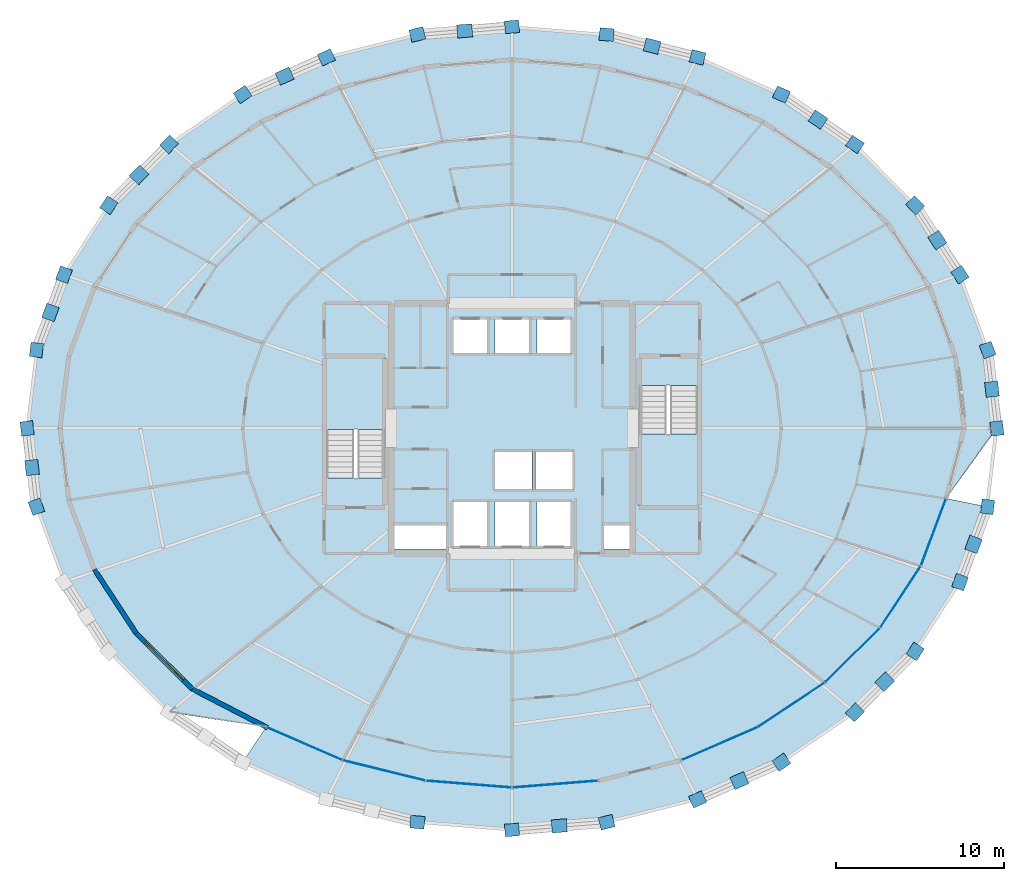
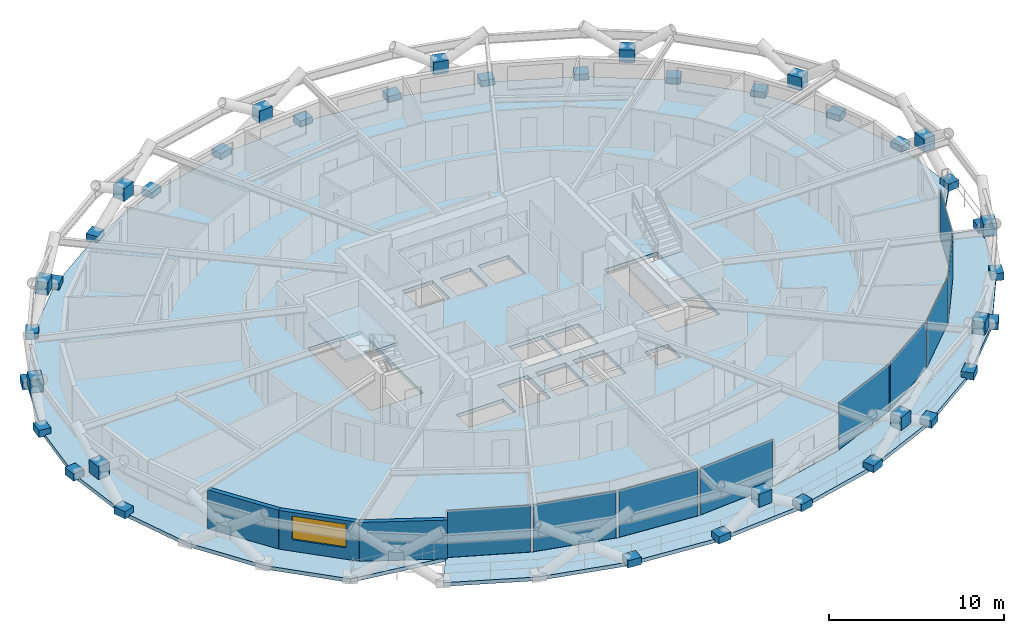
# One storey, part 14 of 23: 49 plates, 4 slabs, 3 walls, 1 window, 1 opening, 4 elements without a shape of their own.
"""IFC4 building model written with IfcOpenShell, lengths in metres."""

from ifc_helpers import new_model, si_unit, direction, frame, frame_2d, origin, origin_2d, place, context, subcontext, project, spatial, polyline, rectangle, outline, extrude, material, layer, layer_set, type_object, element, fill, aggregate, save


model = new_model("IFC4")

# Units and contexts
model_context = context("Model", 3, precision=1e-05, world=origin(), true_north=direction((0.0, 1.0)))
body_context = subcontext(model_context, "Body", "Model", "MODEL_VIEW")
ifc_project = project(units=[si_unit("LENGTHUNIT", "METRE"), si_unit("AREAUNIT", "SQUARE_METRE"), si_unit("VOLUMEUNIT", "CUBIC_METRE"), si_unit("PLANEANGLEUNIT", "RADIAN"), si_unit("MASSUNIT", "GRAM", prefix="KILO")], contexts=[model_context])

# Site, building, storey
site_placement = place(None, origin())
site = spatial("IfcSite", under=ifc_project, at=site_placement, CompositionType="ELEMENT")
building_placement = place(site_placement, origin())
building = spatial("IfcBuilding", under=site, at=building_placement, Name="Veldorina Hangang Commons", CompositionType="ELEMENT")
storey_placement = place(building_placement, frame((0.0, 0.0, 95.199951171875)))
storey = spatial("IfcBuildingStorey", under=building, at=storey_placement, Name="L24", CompositionType="ELEMENT", Elevation=95.199951171875)

# Curtain wall, plates
ifc_material_1 = material(Name="Glass Low-E Triple IGU", Category="glass")
ifc_layer_1 = layer(ifc_material_1, 0.179931640625)
ifc_layer_set_1 = layer_set([ifc_layer_1], Name="Glass Low-E Triple IGU")
curtain_wall_type = type_object("IfcCurtainWallType", Name="CW-SYS-Z1", PredefinedType="NOTDEFINED", material=ifc_layer_set_1)
curtain_wall_1_placement = place(storey_placement, origin())
curtain_wall_1 = element("IfcCurtainWall", 1, at=curtain_wall_1_placement, inside=storey, type_object=curtain_wall_type, Name="L24 unitised curtain wall CW-L24-R1", PredefinedType="NOTDEFINED")
ifc_layer_2 = layer(ifc_material_1, 0.0400390625)
ifc_layer_set_2 = layer_set([ifc_layer_2], Name="Glass Low-E Triple IGU")
plate_type_1 = type_object("IfcPlateType", Name="CW-PNL-VIS", PredefinedType="CURTAIN_PANEL", material=ifc_layer_set_2)
plate_1_placement = place(storey_placement, frame((19.629638671875, 5.2158203125, 0.01513671875), z_axis=(0.0, 0.0, 1.0), x_axis=(0.917386861558, -0.397996666117, 0.0)))
plate_1 = element("IfcPlate", 2, at=plate_1_placement, type_object=plate_type_1, Name="CW-L24-R1 facet 1 glazed vision panel", PredefinedType="CURTAIN_PANEL", context=body_context, shape_type="SweptSolid", body=[
    extrude(rectangle(XDim=4.789306640625, YDim=0.0400390625, at=origin_2d()), origin(), (0.0, 0.0, 1.0), 3.27001953125),
])
plate_2_placement = place(storey_placement, frame((24.38232421875, 3.617919921875, 0.01513671875), z_axis=(0.0, 0.0, 1.0), x_axis=(0.970996733432, -0.239092751175, 0.0)))
plate_2 = element("IfcPlate", 3, at=plate_2_placement, type_object=plate_type_1, Name="CW-L24-R1 facet 2 glazed vision panel", PredefinedType="CURTAIN_PANEL", context=body_context, shape_type="SweptSolid", body=[
    extrude(rectangle(XDim=4.914306640625, YDim=0.0400390625, at=origin_2d()), origin(), (0.0, 0.0, 1.0), 3.27001953125),
])
plate_3_placement = place(storey_placement, frame((29.427734375, 2.80322265625, 0.01513671875), z_axis=(0.0, 0.0, 1.0), x_axis=(0.996820733877, -0.079677001159, 0.0)))
plate_3 = element("IfcPlate", 4, at=plate_3_placement, type_object=plate_type_1, Name="CW-L24-R1 facet 3 glazed vision panel", PredefinedType="CURTAIN_PANEL", context=body_context, shape_type="SweptSolid", body=[
    extrude(rectangle(XDim=4.980712890625, YDim=0.0400390625, at=origin_2d()), origin(), (0.0, 0.0, 1.0), 3.27001953125),
])
plate_4_placement = place(storey_placement, frame((34.572265625, 2.80322265625, 0.01513671875), z_axis=(0.0, 0.0, 1.0), x_axis=(0.996820733877, 0.079677001159, 0.0)))
plate_4 = element("IfcPlate", 5, at=plate_4_placement, type_object=plate_type_1, Name="CW-L24-R1 facet 4 glazed vision panel", PredefinedType="CURTAIN_PANEL", context=body_context, shape_type="SweptSolid", body=[
    extrude(rectangle(XDim=4.980712890625, YDim=0.0400390625, at=origin_2d()), origin(), (0.0, 0.0, 1.0), 3.27001953125),
])
aggregate(curtain_wall_1, [plate_1, plate_2, plate_3, plate_4])

curtain_wall_2_placement = place(storey_placement, origin())
curtain_wall_2 = element("IfcCurtainWall", 6, at=curtain_wall_2_placement, inside=storey, type_object=curtain_wall_type, Name="L24 unitised curtain wall CW-L24-R2", PredefinedType="NOTDEFINED")
plate_5_placement = place(storey_placement, frame((44.37060546875, 5.2158203125, 0.01513671875), z_axis=(0.0, 0.0, 1.0), x_axis=(0.917386861558, 0.397996666117, 0.0)))
plate_5 = element("IfcPlate", 7, at=plate_5_placement, type_object=plate_type_1, Name="CW-L24-R2 facet 1 glazed vision panel", PredefinedType="CURTAIN_PANEL", context=body_context, shape_type="SweptSolid", body=[
    extrude(rectangle(XDim=4.789306640625, YDim=0.0400390625, at=origin_2d()), origin(), (0.0, 0.0, 1.0), 3.27001953125),
])
plate_6_placement = place(storey_placement, frame((48.64794921875, 7.535400390625, 0.01513671875), z_axis=(0.0, 0.0, 1.0), x_axis=(0.832273551571, 0.55436516427, 0.0)))
plate_6 = element("IfcPlate", 8, at=plate_6_placement, type_object=plate_type_1, Name="CW-L24-R2 facet 2 glazed vision panel", PredefinedType="CURTAIN_PANEL", context=body_context, shape_type="SweptSolid", body=[
    extrude(rectangle(XDim=4.62109375, YDim=0.0400390625, at=origin_2d()), origin(), (0.0, 0.0, 1.0), 3.27001953125),
])
plate_7_placement = place(storey_placement, frame((52.285400390625, 10.48779296875, 0.01513671875), z_axis=(0.0, 0.0, 1.0), x_axis=(0.710995871012, 0.703196182729, 0.0)))
plate_7 = element("IfcPlate", 9, at=plate_7_placement, type_object=plate_type_1, Name="CW-L24-R2 facet 3 glazed vision panel", PredefinedType="CURTAIN_PANEL", context=body_context, shape_type="SweptSolid", body=[
    extrude(rectangle(XDim=4.43212890625, YDim=0.0400390625, at=origin_2d()), origin(), (0.0, 0.0, 1.0), 3.27001953125),
])
plate_8_placement = place(storey_placement, frame((55.1435546875, 13.959716796875, 0.01513671875), z_axis=(0.0, 0.0, 1.0), x_axis=(0.549999810956, 0.83516477892, 0.0)))
plate_8 = element("IfcPlate", 10, at=plate_8_placement, type_object=plate_type_1, Name="CW-L24-R2 facet 4 glazed vision panel", PredefinedType="CURTAIN_PANEL", context=body_context, shape_type="SweptSolid", body=[
    extrude(rectangle(XDim=4.25048828125, YDim=0.0400390625, at=origin_2d()), origin(), (0.0, 0.0, 1.0), 3.27001953125),
])
plate_9_placement = place(storey_placement, frame((57.112060546875, 17.817138671875, 0.01513671875), z_axis=(0.0, 0.0, 1.0), x_axis=(0.350076593736, 0.936721078293, 0.0)))
plate_9 = element("IfcPlate", 11, at=plate_9_placement, type_object=plate_type_1, Name="CW-L24-R2 facet 5 glazed vision panel", PredefinedType="CURTAIN_PANEL", context=body_context, shape_type="SweptSolid", body=[
    extrude(rectangle(XDim=4.106201171875, YDim=0.0400390625, at=origin_2d()), origin(), (0.0, 0.0, 1.0), 3.27001953125),
])
aggregate(curtain_wall_2, [plate_5, plate_6, plate_7, plate_8, plate_9])

# Plates
ifc_material_2 = material(Name="Steel SM460-TMC", Category="steel")
ifc_layer_3 = layer(ifc_material_2, 0.035888671875)
ifc_layer_set_3 = layer_set([ifc_layer_3], Name="Steel SM460-TMC")
plate_type_2 = type_object("IfcPlateType", Name="PL-STAR-36", PredefinedType="USERDEFINED", material=ifc_layer_set_3)
plate_10_placement = place(storey_placement, frame((60.88916015625, 24.0, -0.08984375), z_axis=(0.0, 0.0, 1.0), x_axis=(-0.118109344302, 0.993000595563, 0.0)))
element("IfcPlate", 12, at=plate_10_placement, inside=storey, type_object=plate_type_2, Name="L24 diagrid star-node gusset plate 00", ObjectType="GUSSET PLATE", PredefinedType="USERDEFINED", context=body_context, shape_type="SweptSolid", body=[
    extrude(rectangle(XDim=0.85009765625, YDim=0.75, at=origin_2d()), origin(), (0.0, 0.0, 1.0), 0.5),
])
plate_11_placement = place(storey_placement, frame((60.5947265625, 26.33251953125, 1.35107421875), z_axis=(0.0, 0.0, 1.0), x_axis=(-0.118109344302, 0.993000595563, 0.0)))
element("IfcPlate", 13, at=plate_11_placement, inside=storey, type_object=plate_type_2, Name="L24 diagrid X-crossing star-node gusset plate 00", ObjectType="GUSSET PLATE", PredefinedType="USERDEFINED", context=body_context, shape_type="SweptSolid", body=[
    extrude(rectangle(XDim=0.89990234375, YDim=0.780029296875, at=origin_2d()), origin(), (0.0, 0.0, 1.0), 0.89990234375),
])
for number, where, z_axis, x_axis, name in (
    (14, (60.333984375, 28.6669921875, -0.08984375), (0.0, 0.0, 1.0), (-0.343987479376, 0.938974235021, 0.0), "L24 diagrid star-node gusset plate 01"),
    (15, (58.68994140625, 33.15478515625, -0.08984375), (0.0, 0.0, 1.0), (-0.542309568385, 0.840178750052, 0.0), "L24 diagrid star-node gusset plate 02"),
):
    element("IfcPlate", number, at=place(storey_placement, frame(where, z_axis=z_axis, x_axis=x_axis)), inside=storey, type_object=plate_type_2, Name=name, ObjectType="GUSSET PLATE", PredefinedType="USERDEFINED", context=body_context, shape_type="SweptSolid", body=[
        extrude(rectangle(XDim=0.85009765625, YDim=0.75, at=origin_2d()), origin(), (0.0, 0.0, 1.0), 0.5),
    ])
plate_12_placement = place(storey_placement, frame((57.34033203125, 35.217041015625, 1.35107421875), z_axis=(0.0, 0.0, 1.0), x_axis=(-0.542309568385, 0.840178750052, 0.0)))
element("IfcPlate", 16, at=plate_12_placement, inside=storey, type_object=plate_type_2, Name="L24 diagrid X-crossing star-node gusset plate 02", ObjectType="GUSSET PLATE", PredefinedType="USERDEFINED", context=body_context, shape_type="SweptSolid", body=[
    extrude(rectangle(XDim=0.89990234375, YDim=0.780029296875, at=origin_2d()), origin(), (0.0, 0.0, 1.0), 0.89990234375),
])
for number, where, z_axis, x_axis, name in (
    (17, (56.0205078125, 37.29052734375, -0.08984375), (0.0, 0.0, 1.0), (-0.70392795369, 0.710271381947, 0.0), "L24 diagrid star-node gusset plate 03"),
    (18, (52.427734375, 40.915771484375, -0.08984375), (0.0, 0.0, 1.0), (-0.827090384354, 0.562068942487, 0.0), "L24 diagrid star-node gusset plate 04"),
):
    element("IfcPlate", number, at=place(storey_placement, frame(where, z_axis=z_axis, x_axis=x_axis)), inside=storey, type_object=plate_type_2, Name=name, ObjectType="GUSSET PLATE", PredefinedType="USERDEFINED", context=body_context, shape_type="SweptSolid", body=[
        extrude(rectangle(XDim=0.85009765625, YDim=0.75, at=origin_2d()), origin(), (0.0, 0.0, 1.0), 0.5),
    ])
plate_13_placement = place(storey_placement, frame((50.22802734375, 42.39404296875, 1.35107421875), z_axis=(0.0, 0.0, 1.0), x_axis=(-0.827090384354, 0.562068942487, 0.0)))
element("IfcPlate", 19, at=plate_13_placement, inside=storey, type_object=plate_type_2, Name="L24 diagrid X-crossing star-node gusset plate 04", ObjectType="GUSSET PLATE", PredefinedType="USERDEFINED", context=body_context, shape_type="SweptSolid", body=[
    extrude(rectangle(XDim=0.89990234375, YDim=0.780029296875, at=origin_2d()), origin(), (0.0, 0.0, 1.0), 0.89990234375),
])
for number, where, z_axis, x_axis, name in (
    (20, (48.0498046875, 43.890625, -0.08984375), (0.0, 0.0, 1.0), (-0.914430644564, 0.404742629683, 0.0), "L24 diagrid star-node gusset plate 05"),
    (21, (43.055419921875, 46.101318359375, -0.08984375), (0.0, 0.0, 1.0), (-0.969872015285, 0.243615011786, 0.0), "L24 diagrid star-node gusset plate 06"),
):
    element("IfcPlate", number, at=place(storey_placement, frame(where, z_axis=z_axis, x_axis=x_axis)), inside=storey, type_object=plate_type_2, Name=name, ObjectType="GUSSET PLATE", PredefinedType="USERDEFINED", context=body_context, shape_type="SweptSolid", body=[
        extrude(rectangle(XDim=0.85009765625, YDim=0.75, at=origin_2d()), origin(), (0.0, 0.0, 1.0), 0.5),
    ])
plate_14_placement = place(storey_placement, frame((40.3408203125, 46.770751953125, 1.351318359375), z_axis=(0.0, 0.0, 1.0), x_axis=(-0.969872015285, 0.243615011786, 0.0)))
element("IfcPlate", 22, at=plate_14_placement, inside=storey, type_object=plate_type_2, Name="L24 diagrid X-crossing star-node gusset plate 06", ObjectType="GUSSET PLATE", PredefinedType="USERDEFINED", context=body_context, shape_type="SweptSolid", body=[
    extrude(rectangle(XDim=0.89990234375, YDim=0.780029296875, at=origin_2d()), origin(), (0.0, 0.0, 1.0), 0.89990234375),
])
for number, where, z_axis, x_axis, name in (
    (23, (37.635986328125, 47.462646484375, -0.08984375), (0.0, 0.0, 1.0), (-0.996690092585, 0.081294891247, 0.0), "L24 diagrid star-node gusset plate 07"),
    (24, (32.0, 47.92236328125, -0.08984375), (0.0, 0.0, 1.0), (-0.996690092585, -0.081294891247, 0.0), "L24 diagrid star-node gusset plate 08"),
):
    element("IfcPlate", number, at=place(storey_placement, frame(where, z_axis=z_axis, x_axis=x_axis)), inside=storey, type_object=plate_type_2, Name=name, ObjectType="GUSSET PLATE", PredefinedType="USERDEFINED", context=body_context, shape_type="SweptSolid", body=[
        extrude(rectangle(XDim=0.85009765625, YDim=0.75, at=origin_2d()), origin(), (0.0, 0.0, 1.0), 0.5),
    ])
plate_15_placement = place(storey_placement, frame((29.18359375, 47.6806640625, 1.351318359375), z_axis=(0.0, 0.0, 1.0), x_axis=(-0.996690092585, -0.081294891247, 0.0)))
element("IfcPlate", 25, at=plate_15_placement, inside=storey, type_object=plate_type_2, Name="L24 diagrid X-crossing star-node gusset plate 08", ObjectType="GUSSET PLATE", PredefinedType="USERDEFINED", context=body_context, shape_type="SweptSolid", body=[
    extrude(rectangle(XDim=0.89990234375, YDim=0.780029296875, at=origin_2d()), origin(), (0.0, 0.0, 1.0), 0.89990234375),
])
for number, where, z_axis, x_axis, name in (
    (26, (26.364013671875, 47.462646484375, -0.08984375), (0.0, 0.0, 1.0), (-0.969872015285, -0.243615011786, 0.0), "L24 diagrid star-node gusset plate 09"),
    (27, (20.944580078125, 46.101318359375, -0.08984375), (0.0, 0.0, 1.0), (-0.914430644564, -0.404742629683, 0.0), "L24 diagrid star-node gusset plate 10"),
):
    element("IfcPlate", number, at=place(storey_placement, frame(where, z_axis=z_axis, x_axis=x_axis)), inside=storey, type_object=plate_type_2, Name=name, ObjectType="GUSSET PLATE", PredefinedType="USERDEFINED", context=body_context, shape_type="SweptSolid", body=[
        extrude(rectangle(XDim=0.85009765625, YDim=0.75, at=origin_2d()), origin(), (0.0, 0.0, 1.0), 0.5),
    ])
plate_16_placement = place(storey_placement, frame((18.455322265625, 44.985595703125, 1.35107421875), z_axis=(0.0, 0.0, 1.0), x_axis=(-0.914430644564, -0.404742629683, 0.0)))
element("IfcPlate", 28, at=plate_16_placement, inside=storey, type_object=plate_type_2, Name="L24 diagrid X-crossing star-node gusset plate 10", ObjectType="GUSSET PLATE", PredefinedType="USERDEFINED", context=body_context, shape_type="SweptSolid", body=[
    extrude(rectangle(XDim=0.89990234375, YDim=0.780029296875, at=origin_2d()), origin(), (0.0, 0.0, 1.0), 0.89990234375),
])
for number, where, z_axis, x_axis, name in (
    (29, (15.9501953125, 43.890625, -0.08984375), (0.0, 0.0, 1.0), (-0.827090384354, -0.562068942487, 0.0), "L24 diagrid star-node gusset plate 11"),
    (30, (11.572265625, 40.915771484375, -0.08984375), (0.0, 0.0, 1.0), (-0.70392795369, -0.710271381947, 0.0), "L24 diagrid star-node gusset plate 12"),
):
    element("IfcPlate", number, at=place(storey_placement, frame(where, z_axis=z_axis, x_axis=x_axis)), inside=storey, type_object=plate_type_2, Name=name, ObjectType="GUSSET PLATE", PredefinedType="USERDEFINED", context=body_context, shape_type="SweptSolid", body=[
        extrude(rectangle(XDim=0.85009765625, YDim=0.75, at=origin_2d()), origin(), (0.0, 0.0, 1.0), 0.5),
    ])
plate_17_placement = place(storey_placement, frame((9.7890625, 39.095458984375, 1.35107421875), z_axis=(0.0, 0.0, 1.0), x_axis=(-0.70392795369, -0.710271381947, 0.0)))
element("IfcPlate", 31, at=plate_17_placement, inside=storey, type_object=plate_type_2, Name="L24 diagrid X-crossing star-node gusset plate 12", ObjectType="GUSSET PLATE", PredefinedType="USERDEFINED", context=body_context, shape_type="SweptSolid", body=[
    extrude(rectangle(XDim=0.89990234375, YDim=0.780029296875, at=origin_2d()), origin(), (0.0, 0.0, 1.0), 0.89990234375),
])
for number, where, z_axis, x_axis, name in (
    (32, (7.9794921875, 37.29052734375, -0.08984375), (0.0, 0.0, 1.0), (-0.542309568385, -0.840178750052, 0.0), "L24 diagrid star-node gusset plate 13"),
    (33, (5.31005859375, 33.15478515625, -0.08984375), (0.0, 0.0, 1.0), (-0.343987479376, -0.938974235021, 0.0), "L24 diagrid star-node gusset plate 14"),
):
    element("IfcPlate", number, at=place(storey_placement, frame(where, z_axis=z_axis, x_axis=x_axis)), inside=storey, type_object=plate_type_2, Name=name, ObjectType="GUSSET PLATE", PredefinedType="USERDEFINED", context=body_context, shape_type="SweptSolid", body=[
        extrude(rectangle(XDim=0.85009765625, YDim=0.75, at=origin_2d()), origin(), (0.0, 0.0, 1.0), 0.5),
    ])
plate_18_placement = place(storey_placement, frame((4.50439453125, 30.907470703125, 1.35107421875), z_axis=(0.0, 0.0, 1.0), x_axis=(-0.343987479376, -0.938974235021, 0.0)))
element("IfcPlate", 34, at=plate_18_placement, inside=storey, type_object=plate_type_2, Name="L24 diagrid X-crossing star-node gusset plate 14", ObjectType="GUSSET PLATE", PredefinedType="USERDEFINED", context=body_context, shape_type="SweptSolid", body=[
    extrude(rectangle(XDim=0.89990234375, YDim=0.780029296875, at=origin_2d()), origin(), (0.0, 0.0, 1.0), 0.89990234375),
])
for number, where, z_axis, x_axis, name in (
    (35, (3.666015625, 28.6669921875, -0.08984375), (0.0, 0.0, 1.0), (-0.118109344302, -0.993000595563, 0.0), "L24 diagrid star-node gusset plate 15"),
    (36, (3.11083984375, 24.0, -0.08984375), (0.0, 0.0, 1.0), (0.118109344302, -0.993000595563, 0.0), "L24 diagrid star-node gusset plate 16"),
):
    element("IfcPlate", number, at=place(storey_placement, frame(where, z_axis=z_axis, x_axis=x_axis)), inside=storey, type_object=plate_type_2, Name=name, ObjectType="GUSSET PLATE", PredefinedType="USERDEFINED", context=body_context, shape_type="SweptSolid", body=[
        extrude(rectangle(XDim=0.85009765625, YDim=0.75, at=origin_2d()), origin(), (0.0, 0.0, 1.0), 0.5),
    ])
plate_19_placement = place(storey_placement, frame((3.4052734375, 21.66748046875, 1.35107421875), z_axis=(0.0, 0.0, 1.0), x_axis=(0.118109344302, -0.993000595563, 0.0)))
element("IfcPlate", 37, at=plate_19_placement, inside=storey, type_object=plate_type_2, Name="L24 diagrid X-crossing star-node gusset plate 16", ObjectType="GUSSET PLATE", PredefinedType="USERDEFINED", context=body_context, shape_type="SweptSolid", body=[
    extrude(rectangle(XDim=0.89990234375, YDim=0.780029296875, at=origin_2d()), origin(), (0.0, 0.0, 1.0), 0.89990234375),
])
for number, where, z_axis, x_axis, name in (
    (38, (3.666015625, 19.3330078125, -0.08984375), (0.0, 0.0, 1.0), (0.343987479376, -0.938974235021, 0.0), "L24 diagrid star-node gusset plate 17"),
    (39, (26.364013671875, 0.537353515625, -0.08984375), (0.0, 0.0, 1.0), (0.996690092585, -0.081294891247, 0.0), "L24 diagrid star-node gusset plate 23"),
    (40, (32.0, 0.07763671875, -0.08984375), (0.0, 0.0, 1.0), (0.996690092585, 0.081294891247, 0.0), "L24 diagrid star-node gusset plate 24"),
):
    element("IfcPlate", number, at=place(storey_placement, frame(where, z_axis=z_axis, x_axis=x_axis)), inside=storey, type_object=plate_type_2, Name=name, ObjectType="GUSSET PLATE", PredefinedType="USERDEFINED", context=body_context, shape_type="SweptSolid", body=[
        extrude(rectangle(XDim=0.85009765625, YDim=0.75, at=origin_2d()), origin(), (0.0, 0.0, 1.0), 0.5),
    ])
plate_20_placement = place(storey_placement, frame((34.81640625, 0.3193359375, 1.351318359375), z_axis=(0.0, 0.0, 1.0), x_axis=(0.996690092585, 0.081294891247, 0.0)))
element("IfcPlate", 41, at=plate_20_placement, inside=storey, type_object=plate_type_2, Name="L24 diagrid X-crossing star-node gusset plate 24", ObjectType="GUSSET PLATE", PredefinedType="USERDEFINED", context=body_context, shape_type="SweptSolid", body=[
    extrude(rectangle(XDim=0.89990234375, YDim=0.780029296875, at=origin_2d()), origin(), (0.0, 0.0, 1.0), 0.89990234375),
])
for number, where, z_axis, x_axis, name in (
    (42, (37.635986328125, 0.537353515625, -0.08984375), (0.0, 0.0, 1.0), (0.969872015285, 0.243615011786, 0.0), "L24 diagrid star-node gusset plate 25"),
    (43, (43.055419921875, 1.898681640625, -0.08984375), (0.0, 0.0, 1.0), (0.914430644564, 0.404742629683, 0.0), "L24 diagrid star-node gusset plate 26"),
):
    element("IfcPlate", number, at=place(storey_placement, frame(where, z_axis=z_axis, x_axis=x_axis)), inside=storey, type_object=plate_type_2, Name=name, ObjectType="GUSSET PLATE", PredefinedType="USERDEFINED", context=body_context, shape_type="SweptSolid", body=[
        extrude(rectangle(XDim=0.85009765625, YDim=0.75, at=origin_2d()), origin(), (0.0, 0.0, 1.0), 0.5),
    ])
plate_21_placement = place(storey_placement, frame((45.544677734375, 3.014404296875, 1.35107421875), z_axis=(0.0, 0.0, 1.0), x_axis=(0.914430644564, 0.404742629683, 0.0)))
element("IfcPlate", 44, at=plate_21_placement, inside=storey, type_object=plate_type_2, Name="L24 diagrid X-crossing star-node gusset plate 26", ObjectType="GUSSET PLATE", PredefinedType="USERDEFINED", context=body_context, shape_type="SweptSolid", body=[
    extrude(rectangle(XDim=0.89990234375, YDim=0.780029296875, at=origin_2d()), origin(), (0.0, 0.0, 1.0), 0.89990234375),
])
for number, where, z_axis, x_axis, name in (
    (45, (48.0498046875, 4.109375, -0.08984375), (0.0, 0.0, 1.0), (0.827090384354, 0.562068942487, 0.0), "L24 diagrid star-node gusset plate 27"),
    (46, (52.427734375, 7.084228515625, -0.08984375), (0.0, 0.0, 1.0), (0.70392795369, 0.710271381947, 0.0), "L24 diagrid star-node gusset plate 28"),
):
    element("IfcPlate", number, at=place(storey_placement, frame(where, z_axis=z_axis, x_axis=x_axis)), inside=storey, type_object=plate_type_2, Name=name, ObjectType="GUSSET PLATE", PredefinedType="USERDEFINED", context=body_context, shape_type="SweptSolid", body=[
        extrude(rectangle(XDim=0.85009765625, YDim=0.75, at=origin_2d()), origin(), (0.0, 0.0, 1.0), 0.5),
    ])
plate_22_placement = place(storey_placement, frame((54.2109375, 8.904541015625, 1.35107421875), z_axis=(0.0, 0.0, 1.0), x_axis=(0.70392795369, 0.710271381947, 0.0)))
element("IfcPlate", 47, at=plate_22_placement, inside=storey, type_object=plate_type_2, Name="L24 diagrid X-crossing star-node gusset plate 28", ObjectType="GUSSET PLATE", PredefinedType="USERDEFINED", context=body_context, shape_type="SweptSolid", body=[
    extrude(rectangle(XDim=0.89990234375, YDim=0.780029296875, at=origin_2d()), origin(), (0.0, 0.0, 1.0), 0.89990234375),
])
for number, where, z_axis, x_axis, name in (
    (48, (56.0205078125, 10.70947265625, -0.08984375), (0.0, 0.0, 1.0), (0.542309568385, 0.840178750052, 0.0), "L24 diagrid star-node gusset plate 29"),
    (49, (58.68994140625, 14.84521484375, -0.08984375), (0.0, 0.0, 1.0), (0.343987479376, 0.938974235021, 0.0), "L24 diagrid star-node gusset plate 30"),
):
    element("IfcPlate", number, at=place(storey_placement, frame(where, z_axis=z_axis, x_axis=x_axis)), inside=storey, type_object=plate_type_2, Name=name, ObjectType="GUSSET PLATE", PredefinedType="USERDEFINED", context=body_context, shape_type="SweptSolid", body=[
        extrude(rectangle(XDim=0.85009765625, YDim=0.75, at=origin_2d()), origin(), (0.0, 0.0, 1.0), 0.5),
    ])
plate_23_placement = place(storey_placement, frame((59.49560546875, 17.092529296875, 1.35107421875), z_axis=(0.0, 0.0, 1.0), x_axis=(0.343987479376, 0.938974235021, 0.0)))
element("IfcPlate", 50, at=plate_23_placement, inside=storey, type_object=plate_type_2, Name="L24 diagrid X-crossing star-node gusset plate 30", ObjectType="GUSSET PLATE", PredefinedType="USERDEFINED", context=body_context, shape_type="SweptSolid", body=[
    extrude(rectangle(XDim=0.89990234375, YDim=0.780029296875, at=origin_2d()), origin(), (0.0, 0.0, 1.0), 0.89990234375),
])
plate_24_placement = place(storey_placement, frame((60.333984375, 19.3330078125, -0.08984375), z_axis=(0.0, 0.0, 1.0), x_axis=(0.118109344302, 0.993000595563, 0.0)))
element("IfcPlate", 51, at=plate_24_placement, inside=storey, type_object=plate_type_2, Name="L24 diagrid star-node gusset plate 31", ObjectType="GUSSET PLATE", PredefinedType="USERDEFINED", context=body_context, shape_type="SweptSolid", body=[
    extrude(rectangle(XDim=0.85009765625, YDim=0.75, at=origin_2d()), origin(), (0.0, 0.0, 1.0), 0.5),
])

# Slabs
ifc_material_3 = material(Name="Concrete C40/50", Category="concrete")
ifc_layer_4 = layer(ifc_material_3, 0.260009765625)
ifc_layer_set_4 = layer_set([ifc_layer_4], Name="Concrete C40/50")
slab_type_1 = type_object("IfcSlabType", Name="SL-FLR-260", PredefinedType="FLOOR", material=ifc_layer_set_4)
slab_1_placement = place(storey_placement, frame((0.0, 0.0, -0.260009765625)))
element("IfcSlab", 52, at=slab_1_placement, inside=storey, type_object=slab_type_1, Name="L24 tower structural floor slab", PredefinedType="FLOOR", context=body_context, shape_type="SweptSolid", body=[
    extrude(outline(polyline([(60.88916015625, 24.0), (60.333984375, 28.6669921875), (58.68994140625, 33.15478515625), (56.0205078125, 37.29052734375), (52.427734375, 40.915771484375), (48.0498046875, 43.890625), (43.055419921875, 46.101318359375), (37.635986328125, 47.462646484375), (32.0, 47.92236328125), (26.364013671875, 47.462646484375), (20.944580078125, 46.101318359375), (15.9501953125, 43.890625), (11.572265625, 40.915771484375), (7.9794921875, 37.29052734375), (5.31005859375, 33.15478515625), (3.666015625, 28.6669921875), (3.11083984375, 24.0), (3.666015625, 19.3330078125), (5.31005859375, 14.84521484375), (7.9794921875, 10.70947265625), (11.572265625, 7.084228515625), (17.35009765625, 6.20458984375), (21.908935546875, 4.226806640625), (26.855712890625, 3.0087890625), (32.0, 2.59765625), (37.144287109375, 3.0087890625), (42.091064453125, 4.226806640625), (46.64990234375, 6.20458984375), (50.645751953125, 8.8662109375), (53.925048828125, 12.109619140625), (56.36181640625, 15.809814453125), (57.8623046875, 19.82470703125), (60.88916015625, 24.0)]), holes=[polyline([(20.949951171875, 21.05810546875), (20.949951171875, 28.199951171875), (24.449951171875, 28.199951171875), (24.449951171875, 21.05810546875), (20.949951171875, 21.05810546875)]), polyline([(43.050048828125, 26.5419921875), (43.050048828125, 19.39990234375), (39.550048828125, 19.39990234375), (39.550048828125, 26.5419921875), (43.050048828125, 26.5419921875)]), polyline([(28.5, 30.5), (30.5, 30.5), (30.5, 28.5), (28.5, 28.5), (28.5, 30.5)]), polyline([(31.0, 30.5), (33.0, 30.5), (33.0, 28.5), (31.0, 28.5), (31.0, 30.5)]), polyline([(33.5, 30.5), (35.5, 30.5), (35.5, 28.5), (33.5, 28.5), (33.5, 30.5)]), polyline([(31.0, 22.60009765625), (33.199951171875, 22.60009765625), (33.199951171875, 20.39990234375), (31.0, 20.39990234375), (31.0, 22.60009765625)]), polyline([(33.39990234375, 22.60009765625), (35.60009765625, 22.60009765625), (35.60009765625, 20.39990234375), (33.39990234375, 20.39990234375), (33.39990234375, 22.60009765625)]), polyline([(28.5, 19.60009765625), (30.5, 19.60009765625), (30.5, 17.0), (28.5, 17.0), (28.5, 19.60009765625)]), polyline([(31.0, 19.60009765625), (33.0, 19.60009765625), (33.0, 17.0), (31.0, 17.0), (31.0, 19.60009765625)]), polyline([(33.5, 19.60009765625), (35.5, 19.60009765625), (35.5, 17.0), (33.5, 17.0), (33.5, 19.60009765625)]), polyline([(25.0, 18.25), (28.10009765625, 18.25), (28.10009765625, 16.800048828125), (25.0, 16.800048828125), (25.0, 18.25)]), polyline([(37.449951171875, 18.25), (39.0, 18.25), (39.0, 16.800048828125), (37.449951171875, 16.800048828125), (37.449951171875, 18.25)])]), origin(), (0.0, 0.0, 1.0), 0.260009765625),
])
slab_2_placement = place(storey_placement, frame((0.0, 0.0, -0.260009765625)))
element("IfcSlab", 53, at=slab_2_placement, inside=storey, type_object=slab_type_1, Name="L24 sky-garden loggia outdoor slab", PredefinedType="FLOOR", context=body_context, shape_type="SweptSolid", body=[
    extrude(outline(polyline([(60.333984375, 19.3330078125), (58.68994140625, 14.84521484375), (56.0205078125, 10.70947265625), (52.427734375, 7.084228515625), (48.0498046875, 4.109375), (43.055419921875, 1.898681640625), (37.635986328125, 0.537353515625), (32.0, 0.07763671875), (26.364013671875, 0.537353515625), (20.944580078125, 1.898681640625), (15.9501953125, 4.109375), (17.3408203125, 6.19091796875), (17.345947265625, 6.190185546875), (21.903076171875, 4.212890625), (21.904296875, 4.212646484375), (21.905517578125, 4.212158203125), (26.85205078125, 2.994140625), (26.853271484375, 2.993896484375), (26.8544921875, 2.993896484375), (31.998779296875, 2.58251953125), (32.0, 2.58251953125), (32.001220703125, 2.58251953125), (37.1455078125, 2.993896484375), (37.146728515625, 2.993896484375), (37.14794921875, 2.994140625), (42.094482421875, 4.212158203125), (42.095703125, 4.212646484375), (42.096923828125, 4.212890625), (46.656005859375, 6.19091796875), (46.656982421875, 6.19140625), (46.658203125, 6.192138671875), (50.654052734375, 8.853759765625), (50.6552734375, 8.8544921875), (50.65625, 8.85546875), (53.935546875, 12.098876953125), (53.936767578125, 12.10009765625), (53.9375, 12.101318359375), (56.37451171875, 15.801513671875), (56.375244140625, 15.802978515625), (56.3759765625, 15.804443359375), (57.875732421875, 19.8173828125), (57.878662109375, 19.8212890625), (60.333984375, 19.3330078125)])), origin(), (0.0, 0.0, 1.0), 0.260009765625),
])

# Stair, slab
stair_type = type_object("IfcStairType", Name="STR-DOG-1650-20R", PredefinedType="HALF_TURN_STAIR", material=ifc_material_3)
stair_1_placement = place(storey_placement, origin())
stair_1 = element("IfcStair", 54, at=stair_1_placement, inside=storey, type_object=stair_type, Name="L24 Exit stair ST-1", PredefinedType="HALF_TURN_STAIR")
ifc_layer_5 = layer(ifc_material_3, 0.199951171875)
ifc_layer_set_5 = layer_set([ifc_layer_5], Name="Concrete C40/50")
slab_type_2 = type_object("IfcSlabType", Name="SL-LND-200", PredefinedType="LANDING", material=ifc_layer_set_5)
slab_3_placement = place(storey_placement, frame((0.0, 0.0, 1.60009765625)))
slab_3 = element("IfcSlab", 55, at=slab_3_placement, type_object=slab_type_2, Name="ST-1 landing 1", PredefinedType="LANDING", context=body_context, shape_type="SweptSolid", body=[
    extrude(outline(polyline([(24.449951171875, 23.929931640625), (24.449951171875, 28.199951171875), (20.949951171875, 28.199951171875), (20.949951171875, 23.929931640625), (24.449951171875, 23.929931640625)])), origin(), (0.0, 0.0, 1.0), 0.199951171875),
])
aggregate(stair_1, [slab_3])

stair_2_placement = place(storey_placement, origin())
stair_2 = element("IfcStair", 56, at=stair_2_placement, inside=storey, type_object=stair_type, Name="L24 Exit stair ST-2", PredefinedType="HALF_TURN_STAIR")
slab_4_placement = place(storey_placement, frame((0.0, 0.0, 1.60009765625)))
slab_4 = element("IfcSlab", 57, at=slab_4_placement, type_object=slab_type_2, Name="ST-2 landing 1", PredefinedType="LANDING", context=body_context, shape_type="SweptSolid", body=[
    extrude(outline(polyline([(39.550048828125, 23.669921875), (39.550048828125, 19.39990234375), (43.050048828125, 19.39990234375), (43.050048828125, 23.669921875), (39.550048828125, 23.669921875)])), origin(), (0.0, 0.0, 1.0), 0.199951171875),
])
aggregate(stair_2, [slab_4])

# Wall
ifc_material_4 = material(Name="Stone Roman Travertine", Category="masonry")
ifc_layer_6 = layer(ifc_material_4, 0.280029296875)
ifc_layer_set_6 = layer_set([ifc_layer_6], Name="Stone Roman Travertine")
wall_type = type_object("IfcWallType", Name="EW-TRAV-280", PredefinedType="STANDARD", material=ifc_layer_set_6)
wall_1_placement = place(storey_placement, frame((7.120849609375, 15.595458984375, 0.0), z_axis=(0.0, 0.0, 1.0), x_axis=(0.548143021063, -0.836384617541, 0.0)))
element("IfcWall", 58, at=wall_1_placement, inside=storey, type_object=wall_type, Name="L24 travertine facade wall 18", PredefinedType="STANDARD", context=body_context, shape_type="SweptSolid", body=[
    extrude(rectangle(XDim=4.5400390625, YDim=0.280029296875, at=frame_2d((2.27001953125, 0.0))), origin(), (0.0, 0.0, 1.0), 2.7099609375),
])

# Wall, opening, window
wall_2_placement = place(storey_placement, frame((9.609375, 11.79833984375, 0.0), z_axis=(0.0, 0.0, 1.0), x_axis=(0.70930102543, -0.70490570669, 0.0)))
wall_2 = element("IfcWall", 59, at=wall_2_placement, inside=storey, type_object=wall_type, Name="L24 travertine facade wall 19", PredefinedType="STANDARD", context=body_context, shape_type="SweptSolid", body=[
    extrude(rectangle(XDim=4.721435546875, YDim=0.280029296875, at=frame_2d((2.36083984375, 0.0))), origin(), (0.0, 0.0, 1.0), 2.7099609375),
])
opening_placement = place(wall_2_placement, frame((0.7607421875, 0.0, 0.800048828125)))
opening = element("IfcOpeningElement", 60, at=opening_placement, cuts=wall_2, Name="Opening W-01", PredefinedType="OPENING", context=body_context, shape_type="SweptSolid", body=[
    extrude(rectangle(XDim=3.199951171875, YDim=1.64990234375, at=frame_2d((1.60009765625, 0.824951171875))), frame((0.0, 0.14990234375, 0.0), z_axis=(0.0, -1.0, 0.0), x_axis=(1.0, 0.0, 0.0)), (0.0, 0.0, 1.0), 0.300048828125),
])
window_type = type_object("IfcWindowType", Name="WIN-TWR-3200", PartitioningType="SINGLE_PANEL", PredefinedType="WINDOW", material=ifc_material_1)
window_placement = place(opening_placement, origin())
window = element("IfcWindow", 61, at=window_placement, inside=storey, type_object=window_type, Name="L24 facade window 19", OverallHeight=1.64990234375, OverallWidth=3.199951171875, PartitioningType="SINGLE_PANEL", PredefinedType="WINDOW", context=body_context, shape_type="SweptSolid", body=[
    extrude(rectangle(XDim=3.199951171875, YDim=1.64990234375, at=frame_2d((1.60009765625, 0.824951171875))), frame((0.0, 0.030029296875, 0.0), z_axis=(0.0, -1.0, 0.0), x_axis=(1.0, 0.0, 0.0)), (0.0, 0.0, 1.0), 0.06005859375),
])
fill(opening, window)

# Wall
wall_3_placement = place(storey_placement, frame((12.958251953125, 8.47021484375, 0.0), z_axis=(0.0, 0.0, 1.0), x_axis=(0.888710545959, -0.458468718127, 0.0)))
element("IfcWall", 62, at=wall_3_placement, inside=storey, type_object=wall_type, Name="L24 travertine facade wall 20", PredefinedType="STANDARD", context=body_context, shape_type="SweptSolid", body=[
    extrude(rectangle(XDim=5.033935546875, YDim=0.280029296875, at=frame_2d((2.51708984375, 0.0))), origin(), (0.0, 0.0, 1.0), 2.7099609375),
])

save(model, "model.ifc")
